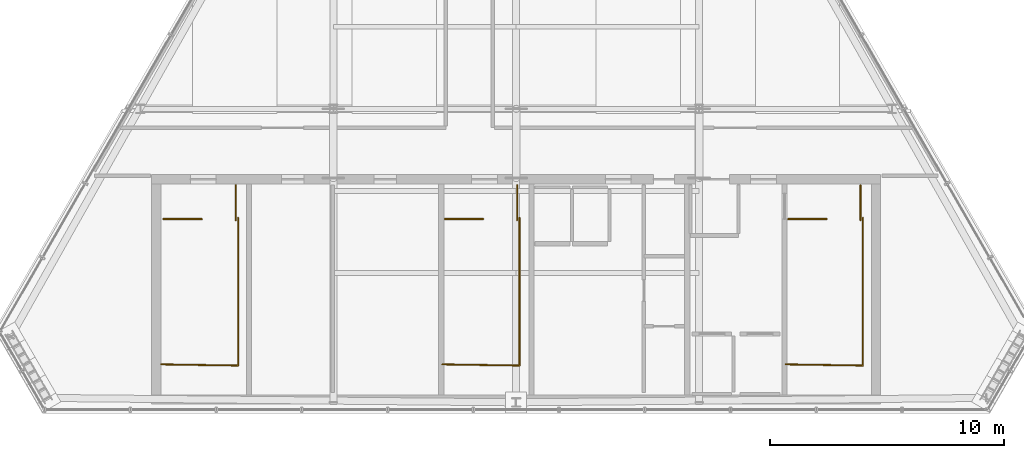
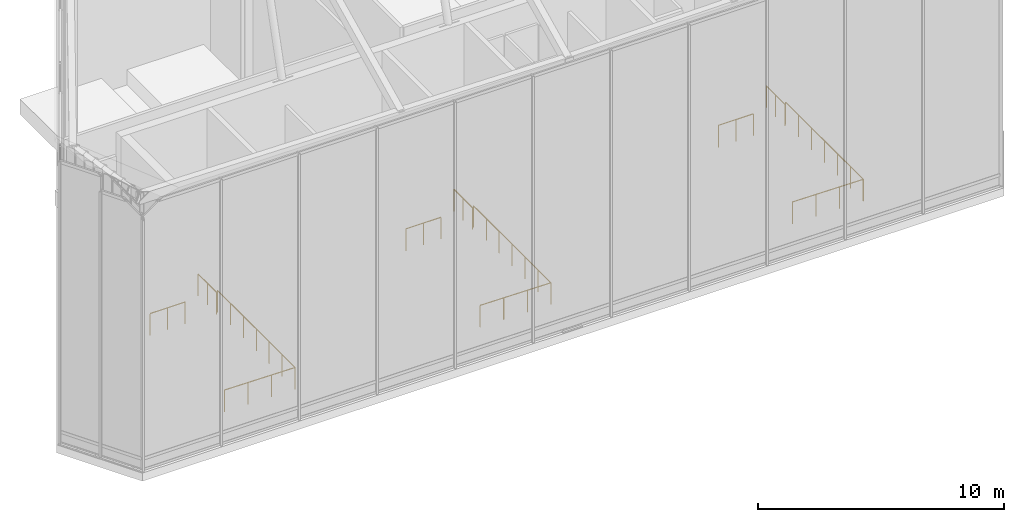
# One storey, part 36 of 36: 9 railings.
"""IFC4 building model written with IfcOpenShell, lengths in metres."""

from ifc_helpers import new_model, si_unit, direction, frame, origin, origin_2d, place, context, subcontext, project, spatial, circle, extrude, material, layer, layer_set, type_object, element, save


model = new_model("IFC4")

# Units and contexts
model_context = context("Model", 3, precision=1e-05, world=origin(), true_north=direction((0.0, 1.0)))
body_context = subcontext(model_context, "Body", "Model", "MODEL_VIEW")
ifc_project = project(units=[si_unit("LENGTHUNIT", "METRE"), si_unit("AREAUNIT", "SQUARE_METRE"), si_unit("VOLUMEUNIT", "CUBIC_METRE"), si_unit("PLANEANGLEUNIT", "RADIAN"), si_unit("MASSUNIT", "GRAM", prefix="KILO")], contexts=[model_context])

# Site, building, storey
site_placement = place(None, origin())
site = spatial("IfcSite", under=ifc_project, at=site_placement, CompositionType="ELEMENT")
building_placement = place(site_placement, origin())
building = spatial("IfcBuilding", under=site, at=building_placement, Name="Ndaravel Arena Tower", CompositionType="ELEMENT")
storey_placement = place(building_placement, frame((0.0, 0.0, 308.10009765625)))
storey = spatial("IfcBuildingStorey", under=building, at=storey_placement, Name="Roof Crown", CompositionType="ELEMENT", Elevation=308.10009765625)

# Railings
ifc_material = material(Name="Steel S355", Category="steel")
ifc_layer = layer(ifc_material, 0.06005859375)
ifc_layer_set = layer_set([ifc_layer], Name="Steel S355")
railing_type = type_object("IfcRailingType", Name="RAIL-STAIR-GD1100", PredefinedType="GUARDRAIL", material=ifc_layer_set)
railing_1_placement = place(storey_placement, frame((26.949951171875, 13.300048828125, 0.0)))
element("IfcRailing", 1, at=railing_1_placement, inside=storey, type_object=railing_type, Name="Roof Crown ST-1 top well guard 1", PredefinedType="GUARDRAIL", context=body_context, shape_type="SweptSolid", body=[
    extrude(circle(Radius=0.02392578125, at=origin_2d()), frame((0.0, 0.0, 1.076171875), z_axis=(1.0, 0.0, 0.0), x_axis=(0.0, 1.0, 0.0)), (0.0, 0.0, 1.0), 1.64013671875),
    extrude(circle(Radius=0.02099609375, at=origin_2d()), origin(), (0.0, 0.0, 1.0), 1.052001953125),
    extrude(circle(Radius=0.02099609375, at=origin_2d()), frame((0.820068359375, 0.0, 0.0)), (0.0, 0.0, 1.0), 1.052001953125),
    extrude(circle(Radius=0.02099609375, at=origin_2d()), frame((1.64013671875, 0.0, 0.0)), (0.0, 0.0, 1.0), 1.052001953125),
])
railing_2_placement = place(storey_placement, frame((30.139892578125, 13.35009765625, 0.0)))
element("IfcRailing", 2, at=railing_2_placement, inside=storey, type_object=railing_type, Name="Roof Crown ST-1 top well guard 2", PredefinedType="GUARDRAIL", context=body_context, shape_type="SweptSolid", body=[
    extrude(circle(Radius=0.02392578125, at=origin_2d()), frame((0.0, 0.0, 1.076171875), z_axis=(0.0, -1.0, 0.0), x_axis=(1.0, 0.0, 0.0)), (0.0, 0.0, 1.0), 6.300048828125),
    extrude(circle(Radius=0.02392578125, at=origin_2d()), frame((0.0, -6.300048828125, 1.076171875), z_axis=(-0.999884296952, 0.015211597839, 0.0), x_axis=(-0.015211597839, -0.999884296952, 0.0)), (0.0, 0.0, 1.0), 3.290283203125),
    extrude(circle(Radius=0.02099609375, at=origin_2d()), origin(), (0.0, 0.0, 1.0), 1.052001953125),
    extrude(circle(Radius=0.02099609375, at=origin_2d()), frame((0.0, -1.050048828125, 0.0)), (0.0, 0.0, 1.0), 1.052001953125),
    extrude(circle(Radius=0.02099609375, at=origin_2d()), frame((0.0, -2.10009765625, 0.0)), (0.0, 0.0, 1.0), 1.052001953125),
    extrude(circle(Radius=0.02099609375, at=origin_2d()), frame((0.0, -3.14990234375, 0.0)), (0.0, 0.0, 1.0), 1.052001953125),
    extrude(circle(Radius=0.02099609375, at=origin_2d()), frame((0.0, -4.199951171875, 0.0)), (0.0, 0.0, 1.0), 1.052001953125),
    extrude(circle(Radius=0.02099609375, at=origin_2d()), frame((0.0, -5.25, 0.0)), (0.0, 0.0, 1.0), 1.052001953125),
    extrude(circle(Radius=0.02099609375, at=origin_2d()), frame((0.0, -6.300048828125, 0.0)), (0.0, 0.0, 1.0), 1.052001953125),
    extrude(circle(Radius=0.02099609375, at=origin_2d()), frame((-1.0966796875, -6.283447265625, 0.0)), (0.0, 0.0, 1.0), 1.052001953125),
    extrude(circle(Radius=0.02099609375, at=origin_2d()), frame((-2.193115234375, -6.2666015625, 0.0)), (0.0, 0.0, 1.0), 1.052001953125),
    extrude(circle(Radius=0.02099609375, at=origin_2d()), frame((-3.289794921875, -6.25, 0.0)), (0.0, 0.0, 1.0), 1.052001953125),
])
railing_3_placement = place(storey_placement, frame((30.0400390625, 14.75, 0.0)))
element("IfcRailing", 3, at=railing_3_placement, inside=storey, type_object=railing_type, Name="Roof Crown ST-1 top well guard 3", PredefinedType="GUARDRAIL", context=body_context, shape_type="SweptSolid", body=[
    extrude(circle(Radius=0.02392578125, at=origin_2d()), frame((0.0, 0.0, 1.076171875), z_axis=(0.0, -1.0, 0.0), x_axis=(1.0, 0.0, 0.0)), (0.0, 0.0, 1.0), 1.5),
    extrude(circle(Radius=0.02099609375, at=origin_2d()), origin(), (0.0, 0.0, 1.0), 1.052001953125),
    extrude(circle(Radius=0.02099609375, at=origin_2d()), frame((0.0, -0.75, 0.0)), (0.0, 0.0, 1.0), 1.052001953125),
    extrude(circle(Radius=0.02099609375, at=origin_2d()), frame((0.0, -1.5, 0.0)), (0.0, 0.0, 1.0), 1.052001953125),
])
railing_4_placement = place(storey_placement, frame((38.949951171875, 13.300048828125, 0.0)))
element("IfcRailing", 4, at=railing_4_placement, inside=storey, type_object=railing_type, Name="Roof Crown ST-2 top well guard 1", PredefinedType="GUARDRAIL", context=body_context, shape_type="SweptSolid", body=[
    extrude(circle(Radius=0.02392578125, at=origin_2d()), frame((0.0, 0.0, 1.076171875), z_axis=(1.0, 0.0, 0.0), x_axis=(0.0, 1.0, 0.0)), (0.0, 0.0, 1.0), 1.64013671875),
    extrude(circle(Radius=0.02099609375, at=origin_2d()), origin(), (0.0, 0.0, 1.0), 1.052001953125),
    extrude(circle(Radius=0.02099609375, at=origin_2d()), frame((0.820068359375, 0.0, 0.0)), (0.0, 0.0, 1.0), 1.052001953125),
    extrude(circle(Radius=0.02099609375, at=origin_2d()), frame((1.64013671875, 0.0, 0.0)), (0.0, 0.0, 1.0), 1.052001953125),
])
railing_5_placement = place(storey_placement, frame((42.139892578125, 13.35009765625, 0.0)))
element("IfcRailing", 5, at=railing_5_placement, inside=storey, type_object=railing_type, Name="Roof Crown ST-2 top well guard 2", PredefinedType="GUARDRAIL", context=body_context, shape_type="SweptSolid", body=[
    extrude(circle(Radius=0.02392578125, at=origin_2d()), frame((0.0, 0.0, 1.076171875), z_axis=(0.0, -1.0, 0.0), x_axis=(1.0, 0.0, 0.0)), (0.0, 0.0, 1.0), 6.300048828125),
    extrude(circle(Radius=0.02392578125, at=origin_2d()), frame((0.0, -6.300048828125, 1.076171875), z_axis=(-0.999884296952, 0.015211597839, 0.0), x_axis=(-0.015211597839, -0.999884296952, 0.0)), (0.0, 0.0, 1.0), 3.290283203125),
    extrude(circle(Radius=0.02099609375, at=origin_2d()), origin(), (0.0, 0.0, 1.0), 1.052001953125),
    extrude(circle(Radius=0.02099609375, at=origin_2d()), frame((0.0, -1.050048828125, 0.0)), (0.0, 0.0, 1.0), 1.052001953125),
    extrude(circle(Radius=0.02099609375, at=origin_2d()), frame((0.0, -2.10009765625, 0.0)), (0.0, 0.0, 1.0), 1.052001953125),
    extrude(circle(Radius=0.02099609375, at=origin_2d()), frame((0.0, -3.14990234375, 0.0)), (0.0, 0.0, 1.0), 1.052001953125),
    extrude(circle(Radius=0.02099609375, at=origin_2d()), frame((0.0, -4.199951171875, 0.0)), (0.0, 0.0, 1.0), 1.052001953125),
    extrude(circle(Radius=0.02099609375, at=origin_2d()), frame((0.0, -5.25, 0.0)), (0.0, 0.0, 1.0), 1.052001953125),
    extrude(circle(Radius=0.02099609375, at=origin_2d()), frame((0.0, -6.300048828125, 0.0)), (0.0, 0.0, 1.0), 1.052001953125),
    extrude(circle(Radius=0.02099609375, at=origin_2d()), frame((-1.0966796875, -6.283447265625, 0.0)), (0.0, 0.0, 1.0), 1.052001953125),
    extrude(circle(Radius=0.02099609375, at=origin_2d()), frame((-2.193115234375, -6.2666015625, 0.0)), (0.0, 0.0, 1.0), 1.052001953125),
    extrude(circle(Radius=0.02099609375, at=origin_2d()), frame((-3.289794921875, -6.25, 0.0)), (0.0, 0.0, 1.0), 1.052001953125),
])
railing_6_placement = place(storey_placement, frame((42.0400390625, 14.75, 0.0)))
element("IfcRailing", 6, at=railing_6_placement, inside=storey, type_object=railing_type, Name="Roof Crown ST-2 top well guard 3", PredefinedType="GUARDRAIL", context=body_context, shape_type="SweptSolid", body=[
    extrude(circle(Radius=0.02392578125, at=origin_2d()), frame((0.0, 0.0, 1.076171875), z_axis=(0.0, -1.0, 0.0), x_axis=(1.0, 0.0, 0.0)), (0.0, 0.0, 1.0), 1.5),
    extrude(circle(Radius=0.02099609375, at=origin_2d()), origin(), (0.0, 0.0, 1.0), 1.052001953125),
    extrude(circle(Radius=0.02099609375, at=origin_2d()), frame((0.0, -0.75, 0.0)), (0.0, 0.0, 1.0), 1.052001953125),
    extrude(circle(Radius=0.02099609375, at=origin_2d()), frame((0.0, -1.5, 0.0)), (0.0, 0.0, 1.0), 1.052001953125),
])
railing_7_placement = place(storey_placement, frame((53.60009765625, 13.300048828125, 0.0)))
element("IfcRailing", 7, at=railing_7_placement, inside=storey, type_object=railing_type, Name="Roof Crown ST-3 top well guard 1", PredefinedType="GUARDRAIL", context=body_context, shape_type="SweptSolid", body=[
    extrude(circle(Radius=0.02392578125, at=origin_2d()), frame((0.0, 0.0, 1.076171875), z_axis=(1.0, 0.0, 0.0), x_axis=(0.0, 1.0, 0.0)), (0.0, 0.0, 1.0), 1.639892578125),
    extrude(circle(Radius=0.02099609375, at=origin_2d()), origin(), (0.0, 0.0, 1.0), 1.052001953125),
    extrude(circle(Radius=0.02099609375, at=origin_2d()), frame((0.81982421875, 0.0, 0.0)), (0.0, 0.0, 1.0), 1.052001953125),
    extrude(circle(Radius=0.02099609375, at=origin_2d()), frame((1.639892578125, 0.0, 0.0)), (0.0, 0.0, 1.0), 1.052001953125),
])
railing_8_placement = place(storey_placement, frame((56.7900390625, 13.35009765625, 0.0)))
element("IfcRailing", 8, at=railing_8_placement, inside=storey, type_object=railing_type, Name="Roof Crown ST-3 top well guard 2", PredefinedType="GUARDRAIL", context=body_context, shape_type="SweptSolid", body=[
    extrude(circle(Radius=0.02392578125, at=origin_2d()), frame((0.0, 0.0, 1.076171875), z_axis=(0.0, -1.0, 0.0), x_axis=(1.0, 0.0, 0.0)), (0.0, 0.0, 1.0), 6.300048828125),
    extrude(circle(Radius=0.02392578125, at=origin_2d()), frame((0.0, -6.300048828125, 1.076171875), z_axis=(-0.99988431412, 0.015210469308, 0.0), x_axis=(-0.015210469308, -0.99988431412, 0.0)), (0.0, 0.0, 1.0), 3.29052734375),
    extrude(circle(Radius=0.02099609375, at=origin_2d()), origin(), (0.0, 0.0, 1.0), 1.052001953125),
    extrude(circle(Radius=0.02099609375, at=origin_2d()), frame((0.0, -1.050048828125, 0.0)), (0.0, 0.0, 1.0), 1.052001953125),
    extrude(circle(Radius=0.02099609375, at=origin_2d()), frame((0.0, -2.10009765625, 0.0)), (0.0, 0.0, 1.0), 1.052001953125),
    extrude(circle(Radius=0.02099609375, at=origin_2d()), frame((0.0, -3.14990234375, 0.0)), (0.0, 0.0, 1.0), 1.052001953125),
    extrude(circle(Radius=0.02099609375, at=origin_2d()), frame((0.0, -4.199951171875, 0.0)), (0.0, 0.0, 1.0), 1.052001953125),
    extrude(circle(Radius=0.02099609375, at=origin_2d()), frame((0.0, -5.25, 0.0)), (0.0, 0.0, 1.0), 1.052001953125),
    extrude(circle(Radius=0.02099609375, at=origin_2d()), frame((0.0, -6.300048828125, 0.0)), (0.0, 0.0, 1.0), 1.052001953125),
    extrude(circle(Radius=0.02099609375, at=origin_2d()), frame((-1.0966796875, -6.283447265625, 0.0)), (0.0, 0.0, 1.0), 1.052001953125),
    extrude(circle(Radius=0.02099609375, at=origin_2d()), frame((-2.193359375, -6.2666015625, 0.0)), (0.0, 0.0, 1.0), 1.052001953125),
    extrude(circle(Radius=0.02099609375, at=origin_2d()), frame((-3.2900390625, -6.25, 0.0)), (0.0, 0.0, 1.0), 1.052001953125),
])
railing_9_placement = place(storey_placement, frame((56.68994140625, 14.75, 0.0)))
element("IfcRailing", 9, at=railing_9_placement, inside=storey, type_object=railing_type, Name="Roof Crown ST-3 top well guard 3", PredefinedType="GUARDRAIL", context=body_context, shape_type="SweptSolid", body=[
    extrude(circle(Radius=0.02392578125, at=origin_2d()), frame((0.0, 0.0, 1.076171875), z_axis=(0.0, -1.0, 0.0), x_axis=(1.0, 0.0, 0.0)), (0.0, 0.0, 1.0), 1.5),
    extrude(circle(Radius=0.02099609375, at=origin_2d()), origin(), (0.0, 0.0, 1.0), 1.052001953125),
    extrude(circle(Radius=0.02099609375, at=origin_2d()), frame((0.0, -0.75, 0.0)), (0.0, 0.0, 1.0), 1.052001953125),
    extrude(circle(Radius=0.02099609375, at=origin_2d()), frame((0.0, -1.5, 0.0)), (0.0, 0.0, 1.0), 1.052001953125),
])

save(model, "model.ifc")
